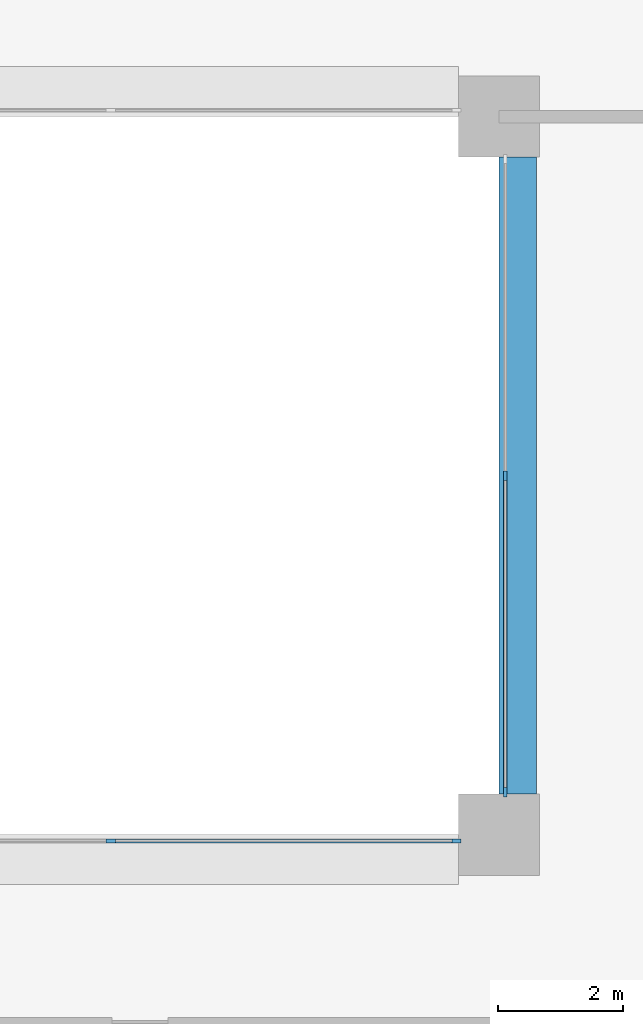
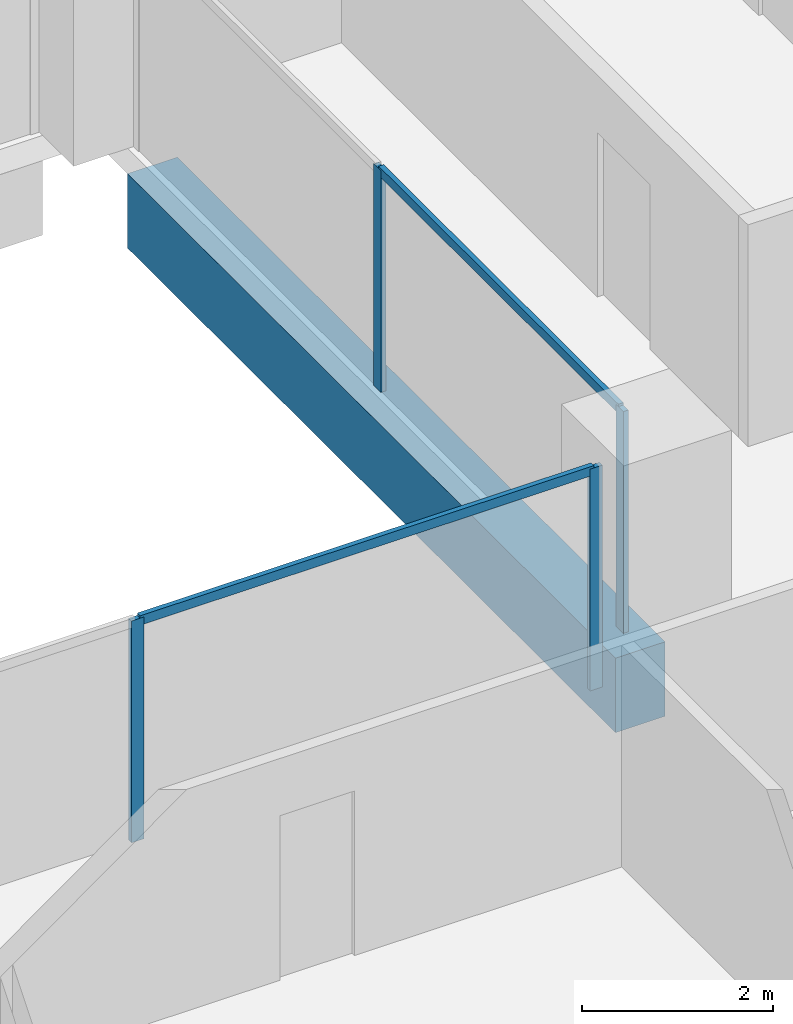
# One storey, part 4 of 16: 6 members, 1 beam, 2 elements without a shape of their own.
"""IFC4 building model written with IfcOpenShell, lengths in metres."""

import ifcopenshell
import ifcopenshell.guid

model = None  # the IFC model being written
_history = None  # IfcOwnerHistory: only IFC2X3 demands one
_inside = {}  # id of a spatial element -> (the spatial element, [elements in it])
_under = {}  # id of a project, library or spatial element -> (it, [spatial elements below it])
_declared = {}  # id of a project -> (the project, [libraries it declares])
_typed = {}  # id of a type object -> (the type object, [elements of that type])
_made_of = {}  # id of a material, layer set ... -> (it, [elements and type objects made of it])


def new_model(schema):
    """Start an empty IFC model of exactly this schema.

    Asked for "IFC4X3", IfcOpenShell would pick the latest addendum, in which some entities
    have other attributes; the version numbers below select the first issue.
    IFC2X3 requires an IfcOwnerHistory on every rooted entity: one is made here for all.
    """
    global model, _history
    if schema == "IFC4X3":
        model = ifcopenshell.file(schema_version=(4, 3, 0, 0))
    else:
        model = ifcopenshell.file(schema=schema)
    _inside.clear()
    _under.clear()
    _declared.clear()
    _typed.clear()
    _made_of.clear()
    _history = None
    if model.schema == "IFC2X3":
        org = make("IfcOrganization", Name="unknown")
        user = make(
            "IfcPersonAndOrganization",
            ThePerson=make("IfcPerson", FamilyName="unknown"),
            TheOrganization=org,
        )
        app = make(
            "IfcApplication",
            ApplicationDeveloper=org,
            Version="unknown",
            ApplicationFullName="unknown",
            ApplicationIdentifier="unknown",
        )
        _history = make(
            "IfcOwnerHistory",
            OwningUser=user,
            OwningApplication=app,
            ChangeAction="ADDED",
            CreationDate=0,
        )
    return model


def make(cls, **values):
    """One entity of the class cls with the attributes given. An attribute that is None is left unset."""
    return model.create_entity(
        cls, **{name: value for name, value in values.items() if value is not None}
    )


def rooted(cls, **values):
    """An entity with a GlobalId (a new one), such as an element, a storey or a relation."""
    return make(cls, GlobalId=ifcopenshell.guid.new(), OwnerHistory=_history, **values)


def si_unit(unit_type, name, prefix=None):
    """IfcSIUnit, for example si_unit("LENGTHUNIT", "METRE", prefix="MILLI")."""
    return make("IfcSIUnit", UnitType=unit_type, Prefix=prefix, Name=name)


def assignment(units):
    """IfcUnitAssignment: the units of a project."""
    return None if units is None else make("IfcUnitAssignment", Units=units)


def point(xyz):
    """IfcCartesianPoint."""
    return None if xyz is None else make("IfcCartesianPoint", Coordinates=xyz)


def direction(xyz):
    """IfcDirection."""
    return None if xyz is None else make("IfcDirection", DirectionRatios=xyz)


def frame(location, z_axis=None, x_axis=None):
    """IfcAxis2Placement3D, a coordinate frame: its origin and axes. An axis left out is left unset."""
    return make(
        "IfcAxis2Placement3D",
        Location=point(location),
        Axis=direction(z_axis),
        RefDirection=direction(x_axis),
    )


def frame_2d(location, x_axis=None):
    """IfcAxis2Placement2D, a coordinate frame in the plane: its origin and x axis."""
    return make(
        "IfcAxis2Placement2D", Location=point(location), RefDirection=direction(x_axis)
    )


def origin():
    """The frame at (0, 0, 0) with its axes left unset."""
    return frame((0.0, 0.0, 0.0))


def origin_2d():
    """The frame at (0, 0) in the plane with its x axis left unset."""
    return frame_2d((0.0, 0.0))


def place(relative_to, where):
    """IfcLocalPlacement: puts the frame where relative to a parent placement (None: the world)."""
    return make(
        "IfcLocalPlacement", PlacementRelTo=relative_to, RelativePlacement=where
    )


def context(
    kind, dimensions, precision=None, world=None, true_north=None, identifier=None
):
    """IfcGeometricRepresentationContext, for example the 3D "Model" context."""
    return make(
        "IfcGeometricRepresentationContext",
        ContextIdentifier=identifier,
        ContextType=kind,
        CoordinateSpaceDimension=dimensions,
        Precision=precision,
        WorldCoordinateSystem=world,
        TrueNorth=true_north,
    )


def subcontext(parent, identifier, kind, view, scale=None):
    """IfcGeometricRepresentationSubContext, for example "Body" below "Model"."""
    return make(
        "IfcGeometricRepresentationSubContext",
        ContextIdentifier=identifier,
        ContextType=kind,
        ParentContext=parent,
        TargetScale=scale,
        TargetView=view,
    )


def project(units=None, contexts=None):
    """IfcProject with its units and contexts."""
    return rooted(
        "IfcProject",
        Name="project",
        RepresentationContexts=contexts,
        UnitsInContext=assignment(units),
    )


def spatial(cls, under=None, at=None, **own):
    """A site, building, storey or space (cls), placed at a placement, below another one or the project."""
    s = rooted(cls, ObjectPlacement=at, **own)
    if under is not None:
        _under.setdefault(under.id(), (under, []))[1].append(s)
    return s


def profile(cls, at=None, kind="AREA", **sizes):
    """A parametric profile (cls). Its sizes go by their IFC names, for example OverallWidth=200.0."""
    return make(cls, ProfileType=kind, Position=at, **sizes)


def rectangle(**sizes):
    """IfcRectangleProfileDef."""
    return profile("IfcRectangleProfileDef", **sizes)


def extrude(swept, where, along, depth):
    """IfcExtrudedAreaSolid: the profile swept, set in the frame where, extruded along a direction by depth."""
    return make(
        "IfcExtrudedAreaSolid",
        SweptArea=swept,
        Position=where,
        ExtrudedDirection=direction(along),
        Depth=depth,
    )


def shape(context_of_items, identifier, shape_type, items):
    """IfcShapeRepresentation: the items that make up one representation, for example the "Body"."""
    return make(
        "IfcShapeRepresentation",
        ContextOfItems=context_of_items,
        RepresentationIdentifier=identifier,
        RepresentationType=shape_type,
        Items=items,
    )


def material(Name=None, Category=None):
    """IfcMaterial."""
    return make("IfcMaterial", Name=Name, Category=Category)


def layer(
    of_material, thickness, ventilated=None, Name=None, Category=None, Priority=None
):
    """IfcMaterialLayer: one layer of a wall or slab, of a material (None: an air gap)."""
    return make(
        "IfcMaterialLayer",
        Material=of_material,
        LayerThickness=thickness,
        IsVentilated=ventilated,
        Name=Name,
        Category=Category,
        Priority=Priority,
    )


def layer_set(layers, Name=None):
    """IfcMaterialLayerSet."""
    return make("IfcMaterialLayerSet", MaterialLayers=layers, LayerSetName=Name)


def material_profile(
    of_material, cross_section, Name=None, Category=None, Priority=None
):
    """IfcMaterialProfile: a cross section and its material."""
    return make(
        "IfcMaterialProfile",
        Name=Name,
        Material=of_material,
        Profile=cross_section,
        Priority=Priority,
        Category=Category,
    )


def profile_set(profiles, Name=None, composite=None):
    """IfcMaterialProfileSet."""
    return make(
        "IfcMaterialProfileSet",
        Name=Name,
        MaterialProfiles=profiles,
        CompositeProfile=composite,
    )


def made_of(thing, what):
    """Note that an element or type object is made of a material, layer set ...; save() writes the relation."""
    if what is not None:
        _made_of.setdefault(what.id(), (what, []))[1].append(thing)
    return thing


def type_object(cls, material=None, **own):
    """A type object (cls), such as IfcWallType, which elements share."""
    return made_of(rooted(cls, **own), material)


def element(
    cls,
    number,
    at=None,
    inside=None,
    cuts=None,
    type_object=None,
    material=None,
    context=None,
    identifier="Body",
    shape_type=None,
    held_by="IfcProductDefinitionShape",
    body=None,
    shapes=None,
    **own,
):
    """One element of the class cls, such as IfcWall. Its Tag is "e" and its number.

    at: its placement. inside: the storey or other place that contains it. cuts: it is an
    opening in that element (IfcRelVoidsElement). A single representation is given by context,
    identifier, shape_type and body (its items); several are given by shapes. held_by: the class
    of the entity that holds the representations. save() writes the other relations.
    """
    e = rooted(cls, Tag="e%d" % number, ObjectPlacement=at, **own)
    if body is not None:
        shapes = [shape(context, identifier, shape_type, body)]
    if shapes is not None:
        e.Representation = make(held_by, Representations=shapes)
    if inside is not None:
        _inside.setdefault(inside.id(), (inside, []))[1].append(e)
    if cuts is not None:
        rooted(
            "IfcRelVoidsElement", RelatingBuildingElement=cuts, RelatedOpeningElement=e
        )
    if type_object is not None:
        _typed.setdefault(type_object.id(), (type_object, []))[1].append(e)
    return made_of(e, material)


def aggregate(whole, parts):
    """IfcRelAggregates: a whole, such as a stair, and the parts it consists of."""
    return rooted("IfcRelAggregates", RelatingObject=whole, RelatedObjects=parts)


def save(model, path):
    """Write the relations noted so far, then the file.

    IfcRelAggregates (storeys below a building ...), IfcRelContainedInSpatialStructure (elements
    in a storey), IfcRelDefinesByType, IfcRelAssociatesMaterial and IfcRelDeclares: one each for
    every whole, place, type object, material and project.
    """
    for whole, parts in _under.values():
        aggregate(whole, parts)
    for where, things in _inside.values():
        rooted(
            "IfcRelContainedInSpatialStructure",
            RelatedElements=things,
            RelatingStructure=where,
        )
    for kind, things in _typed.values():
        rooted("IfcRelDefinesByType", RelatedObjects=things, RelatingType=kind)
    for what, things in _made_of.values():
        rooted("IfcRelAssociatesMaterial", RelatedObjects=things, RelatingMaterial=what)
    for by, libraries in _declared.values():
        rooted("IfcRelDeclares", RelatingContext=by, RelatedDefinitions=libraries)
    model.write(path)


model = new_model("IFC4")

# Units and contexts
model_context = context("Model", 3, precision=1e-05, world=origin(), true_north=direction((0.0, 1.0)))
body_context = subcontext(model_context, "Body", "Model", "MODEL_VIEW")
ifc_project = project(units=[si_unit("LENGTHUNIT", "METRE"), si_unit("AREAUNIT", "SQUARE_METRE"), si_unit("VOLUMEUNIT", "CUBIC_METRE"), si_unit("PLANEANGLEUNIT", "RADIAN"), si_unit("MASSUNIT", "GRAM", prefix="KILO")], contexts=[model_context])

# Site, building, storey
site_placement = place(None, origin())
site = spatial("IfcSite", under=ifc_project, at=site_placement, CompositionType="ELEMENT")
building_placement = place(site_placement, origin())
building = spatial("IfcBuilding", under=site, at=building_placement, Name="Brigalow Station Residences", CompositionType="ELEMENT")
storey_placement = place(building_placement, frame((0.0, 0.0, 115.050048828125)))
storey = spatial("IfcBuildingStorey", under=building, at=storey_placement, Name="L33", CompositionType="ELEMENT", Elevation=115.050048828125)

# Beam
ifc_material_1 = material(Name="Concrete C65", Category="concrete")
ifc_material_profile_1 = material_profile(ifc_material_1, rectangle(XDim=0.60009765625, YDim=0.949951171875, at=origin_2d()), Name="RC600x950")
ifc_profile_set_1 = profile_set([ifc_material_profile_1], Name="Concrete C65")
beam_type = type_object("IfcBeamType", Name="ATRIUM EDGE GIRDER 600x950 C65", PredefinedType="BEAM", material=ifc_profile_set_1)
beam_placement = place(storey_placement, frame((45.300048828125, 24.64990234375, -0.795166015625), z_axis=(0.0, 1.0, 0.0), x_axis=(-1.0, 0.0, 0.0)))
element("IfcBeam", 1, at=beam_placement, inside=storey, type_object=beam_type, Name="ATRIUM EDGE GIRDER 5 L33", PredefinedType="BEAM", context=body_context, shape_type="SweptSolid", body=[
    extrude(rectangle(XDim=0.60009765625, YDim=0.949951171875, at=origin_2d()), origin(), (0.0, 0.0, 1.0), 10.2001953125),
])

# Curtain wall, members
ifc_material_2 = material(Name="Aluminium", Category="aluminium")
ifc_layer = layer(ifc_material_2, 0.14990234375)
ifc_layer_set = layer_set([ifc_layer], Name="ATRIUM FIRE-RATED GLAZING CURTAIN WALL")
curtain_wall_type = type_object("IfcCurtainWallType", Name="ATRIUM FIRE-RATED GLAZING CURTAIN WALL", PredefinedType="NOTDEFINED", material=ifc_layer_set)
curtain_wall_1_placement = place(storey_placement, origin())
curtain_wall_1 = element("IfcCurtainWall", 2, at=curtain_wall_1_placement, inside=storey, type_object=curtain_wall_type, Name="L33/cw/atrium-S", PredefinedType="NOTDEFINED")
ifc_material_3 = material(Name="Aluminium", Category="aluminium")
ifc_material_profile_2 = material_profile(ifc_material_3, rectangle(XDim=0.06005859375, YDim=0.14990234375, at=origin_2d()), Name="ATRIUM FIRE-RATED GLAZING MULLION 60x150")
ifc_profile_set_2 = profile_set([ifc_material_profile_2], Name="Aluminium")
member_type_1 = type_object("IfcMemberType", Name="ATRIUM FIRE-RATED GLAZING MULLION 60x150", PredefinedType="MULLION", material=ifc_profile_set_2)
member_1_placement = place(storey_placement, frame((38.783203125, 23.89990234375, 0.0), z_axis=(0.0, 0.0, 1.0), x_axis=(0.0, 1.0, 0.0)))
member_1 = element("IfcMember", 3, at=member_1_placement, type_object=member_type_1, Name="L33/cw/atrium-S/M02", PredefinedType="MULLION", context=body_context, shape_type="SweptSolid", body=[
    extrude(rectangle(XDim=0.06005859375, YDim=0.14990234375, at=origin_2d()), origin(), (0.0, 0.0, 1.0), 2.829833984375),
])
member_2_placement = place(storey_placement, frame((44.320068359375, 23.89990234375, 0.0), z_axis=(0.0, 0.0, 1.0), x_axis=(0.0, 1.0, 0.0)))
member_2 = element("IfcMember", 4, at=member_2_placement, type_object=member_type_1, Name="L33/cw/atrium-S/M03", PredefinedType="MULLION", context=body_context, shape_type="SweptSolid", body=[
    extrude(rectangle(XDim=0.06005859375, YDim=0.14990234375, at=origin_2d()), origin(), (0.0, 0.0, 1.0), 2.829833984375),
])

curtain_wall_2_placement = place(storey_placement, origin())
curtain_wall_2 = element("IfcCurtainWall", 5, at=curtain_wall_2_placement, inside=storey, type_object=curtain_wall_type, Name="L33/cw/atrium-E", PredefinedType="NOTDEFINED")
member_3_placement = place(storey_placement, frame((45.10009765625, 24.679931640625, 0.0), z_axis=(0.0, 0.0, 1.0), x_axis=(-1.0, 0.0, 0.0)))
member_3 = element("IfcMember", 6, at=member_3_placement, type_object=member_type_1, Name="L33/cw/atrium-E/M00", PredefinedType="MULLION", context=body_context, shape_type="SweptSolid", body=[
    extrude(rectangle(XDim=0.06005859375, YDim=0.14990234375, at=origin_2d()), origin(), (0.0, 0.0, 1.0), 2.829833984375),
])
member_4_placement = place(storey_placement, frame((45.10009765625, 29.75, 0.0), z_axis=(0.0, 0.0, 1.0), x_axis=(-1.0, 0.0, 0.0)))
member_4 = element("IfcMember", 7, at=member_4_placement, type_object=member_type_1, Name="L33/cw/atrium-E/M01", PredefinedType="MULLION", context=body_context, shape_type="SweptSolid", body=[
    extrude(rectangle(XDim=0.06005859375, YDim=0.14990234375, at=origin_2d()), origin(), (0.0, 0.0, 1.0), 2.829833984375),
])

# Member
ifc_material_4 = material(Name="Aluminium", Category="aluminium")
ifc_material_profile_3 = material_profile(ifc_material_4, rectangle(XDim=0.06005859375, YDim=0.1201171875, at=origin_2d()), Name="ATRIUM FIRE-RATED GLAZING TRANSOM 60x120")
ifc_profile_set_3 = profile_set([ifc_material_profile_3], Name="Aluminium")
member_type_2 = type_object("IfcMemberType", Name="ATRIUM FIRE-RATED GLAZING TRANSOM 60x120", PredefinedType="USERDEFINED", material=ifc_profile_set_3)
member_5_placement = place(storey_placement, frame((38.813232421875, 23.89990234375, 2.800048828125), z_axis=(1.0, 0.0, 0.0), x_axis=(0.0, 1.0, 0.0)))
member_5 = element("IfcMember", 8, at=member_5_placement, type_object=member_type_2, Name="L33/cw/atrium-S/T02-00", ObjectType="TRANSOM", PredefinedType="USERDEFINED", context=body_context, shape_type="SweptSolid", body=[
    extrude(rectangle(XDim=0.06005859375, YDim=0.1201171875, at=origin_2d()), origin(), (0.0, 0.0, 1.0), 5.476806640625),
])

aggregate(curtain_wall_1, [member_1, member_2, member_5])

member_6_placement = place(storey_placement, frame((45.10009765625, 24.7099609375, 2.800048828125), z_axis=(0.0, 1.0, 0.0), x_axis=(-1.0, 0.0, 0.0)))
member_6 = element("IfcMember", 9, at=member_6_placement, type_object=member_type_2, Name="L33/cw/atrium-E/T00-00", ObjectType="TRANSOM", PredefinedType="USERDEFINED", context=body_context, shape_type="SweptSolid", body=[
    extrude(rectangle(XDim=0.06005859375, YDim=0.1201171875, at=origin_2d()), origin(), (0.0, 0.0, 1.0), 5.010009765625),
])

aggregate(curtain_wall_2, [member_3, member_4, member_6])

save(model, "model.ifc")
